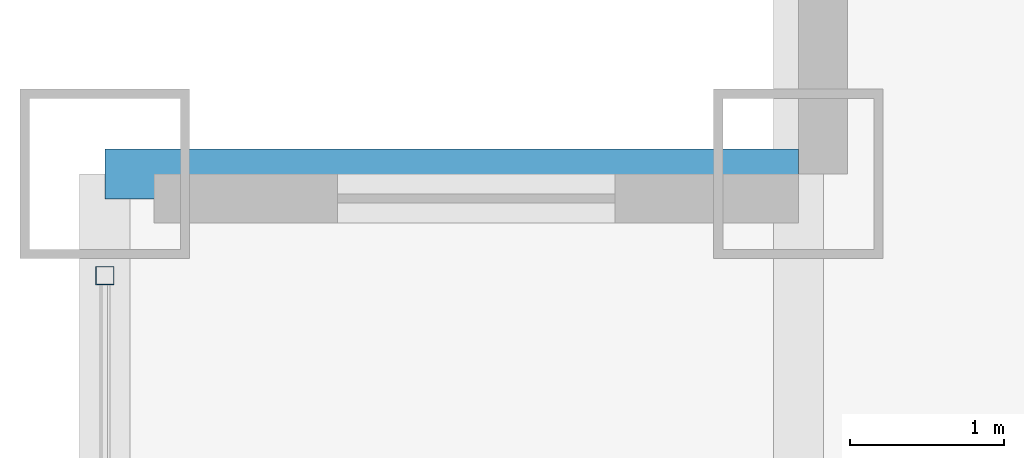
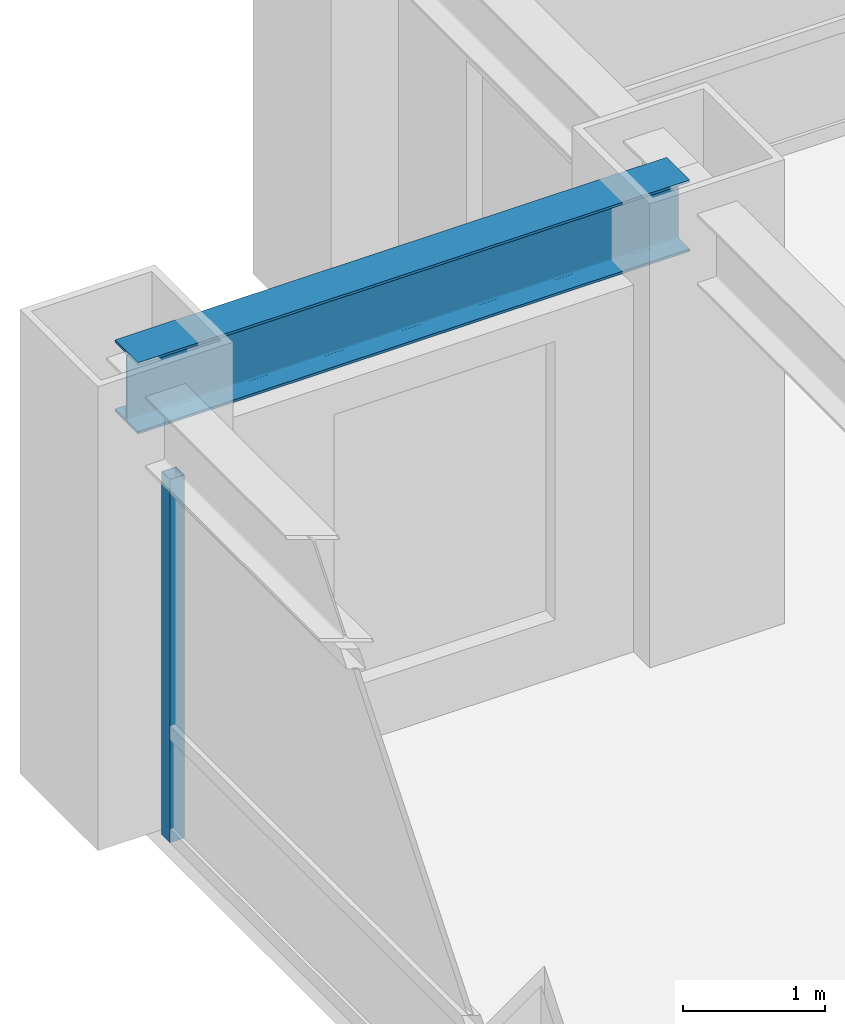
# One storey, part 12 of 28: 1 beam, 1 member, 1 element without a shape of its own.
"""IFC4 building model written with IfcOpenShell, lengths in metres."""

import ifcopenshell
import ifcopenshell.guid

model = None  # the IFC model being written
_history = None  # IfcOwnerHistory: only IFC2X3 demands one
_inside = {}  # id of a spatial element -> (the spatial element, [elements in it])
_under = {}  # id of a project, library or spatial element -> (it, [spatial elements below it])
_declared = {}  # id of a project -> (the project, [libraries it declares])
_typed = {}  # id of a type object -> (the type object, [elements of that type])
_made_of = {}  # id of a material, layer set ... -> (it, [elements and type objects made of it])


def new_model(schema):
    """Start an empty IFC model of exactly this schema.

    Asked for "IFC4X3", IfcOpenShell would pick the latest addendum, in which some entities
    have other attributes; the version numbers below select the first issue.
    IFC2X3 requires an IfcOwnerHistory on every rooted entity: one is made here for all.
    """
    global model, _history
    if schema == "IFC4X3":
        model = ifcopenshell.file(schema_version=(4, 3, 0, 0))
    else:
        model = ifcopenshell.file(schema=schema)
    _inside.clear()
    _under.clear()
    _declared.clear()
    _typed.clear()
    _made_of.clear()
    _history = None
    if model.schema == "IFC2X3":
        org = make("IfcOrganization", Name="unknown")
        user = make(
            "IfcPersonAndOrganization",
            ThePerson=make("IfcPerson", FamilyName="unknown"),
            TheOrganization=org,
        )
        app = make(
            "IfcApplication",
            ApplicationDeveloper=org,
            Version="unknown",
            ApplicationFullName="unknown",
            ApplicationIdentifier="unknown",
        )
        _history = make(
            "IfcOwnerHistory",
            OwningUser=user,
            OwningApplication=app,
            ChangeAction="ADDED",
            CreationDate=0,
        )
    return model


def make(cls, **values):
    """One entity of the class cls with the attributes given. An attribute that is None is left unset."""
    return model.create_entity(
        cls, **{name: value for name, value in values.items() if value is not None}
    )


def rooted(cls, **values):
    """An entity with a GlobalId (a new one), such as an element, a storey or a relation."""
    return make(cls, GlobalId=ifcopenshell.guid.new(), OwnerHistory=_history, **values)


def si_unit(unit_type, name, prefix=None):
    """IfcSIUnit, for example si_unit("LENGTHUNIT", "METRE", prefix="MILLI")."""
    return make("IfcSIUnit", UnitType=unit_type, Prefix=prefix, Name=name)


def assignment(units):
    """IfcUnitAssignment: the units of a project."""
    return None if units is None else make("IfcUnitAssignment", Units=units)


def point(xyz):
    """IfcCartesianPoint."""
    return None if xyz is None else make("IfcCartesianPoint", Coordinates=xyz)


def direction(xyz):
    """IfcDirection."""
    return None if xyz is None else make("IfcDirection", DirectionRatios=xyz)


def frame(location, z_axis=None, x_axis=None):
    """IfcAxis2Placement3D, a coordinate frame: its origin and axes. An axis left out is left unset."""
    return make(
        "IfcAxis2Placement3D",
        Location=point(location),
        Axis=direction(z_axis),
        RefDirection=direction(x_axis),
    )


def frame_2d(location, x_axis=None):
    """IfcAxis2Placement2D, a coordinate frame in the plane: its origin and x axis."""
    return make(
        "IfcAxis2Placement2D", Location=point(location), RefDirection=direction(x_axis)
    )


def origin():
    """The frame at (0, 0, 0) with its axes left unset."""
    return frame((0.0, 0.0, 0.0))


def origin_2d():
    """The frame at (0, 0) in the plane with its x axis left unset."""
    return frame_2d((0.0, 0.0))


def place(relative_to, where):
    """IfcLocalPlacement: puts the frame where relative to a parent placement (None: the world)."""
    return make(
        "IfcLocalPlacement", PlacementRelTo=relative_to, RelativePlacement=where
    )


def context(
    kind, dimensions, precision=None, world=None, true_north=None, identifier=None
):
    """IfcGeometricRepresentationContext, for example the 3D "Model" context."""
    return make(
        "IfcGeometricRepresentationContext",
        ContextIdentifier=identifier,
        ContextType=kind,
        CoordinateSpaceDimension=dimensions,
        Precision=precision,
        WorldCoordinateSystem=world,
        TrueNorth=true_north,
    )


def subcontext(parent, identifier, kind, view, scale=None):
    """IfcGeometricRepresentationSubContext, for example "Body" below "Model"."""
    return make(
        "IfcGeometricRepresentationSubContext",
        ContextIdentifier=identifier,
        ContextType=kind,
        ParentContext=parent,
        TargetScale=scale,
        TargetView=view,
    )


def project(units=None, contexts=None):
    """IfcProject with its units and contexts."""
    return rooted(
        "IfcProject",
        Name="project",
        RepresentationContexts=contexts,
        UnitsInContext=assignment(units),
    )


def spatial(cls, under=None, at=None, **own):
    """A site, building, storey or space (cls), placed at a placement, below another one or the project."""
    s = rooted(cls, ObjectPlacement=at, **own)
    if under is not None:
        _under.setdefault(under.id(), (under, []))[1].append(s)
    return s


def profile(cls, at=None, kind="AREA", **sizes):
    """A parametric profile (cls). Its sizes go by their IFC names, for example OverallWidth=200.0."""
    return make(cls, ProfileType=kind, Position=at, **sizes)


def hollow_rectangle(**sizes):
    """IfcRectangleHollowProfileDef."""
    return profile("IfcRectangleHollowProfileDef", **sizes)


def i_section(**sizes):
    """IfcIShapeProfileDef."""
    return profile("IfcIShapeProfileDef", **sizes)


def extrude(swept, where, along, depth):
    """IfcExtrudedAreaSolid: the profile swept, set in the frame where, extruded along a direction by depth."""
    return make(
        "IfcExtrudedAreaSolid",
        SweptArea=swept,
        Position=where,
        ExtrudedDirection=direction(along),
        Depth=depth,
    )


def shape(context_of_items, identifier, shape_type, items):
    """IfcShapeRepresentation: the items that make up one representation, for example the "Body"."""
    return make(
        "IfcShapeRepresentation",
        ContextOfItems=context_of_items,
        RepresentationIdentifier=identifier,
        RepresentationType=shape_type,
        Items=items,
    )


def source(mapping_origin, context_of_items, identifier, shape_type, items):
    """IfcRepresentationMap: a shape defined once, which mapped items show again and again."""
    return make(
        "IfcRepresentationMap",
        MappingOrigin=mapping_origin,
        MappedRepresentation=shape(context_of_items, identifier, shape_type, items),
    )


def transform(
    local_origin,
    x_axis=None,
    y_axis=None,
    z_axis=None,
    scale=None,
    scale2=None,
    scale3=None,
    uniform=True,
):
    """IfcCartesianTransformationOperator3D, or its non-uniform kind. x_axis, y_axis, z_axis: its Axis1, 2, 3."""
    if uniform:
        return make(
            "IfcCartesianTransformationOperator3D",
            Axis1=direction(x_axis),
            Axis2=direction(y_axis),
            LocalOrigin=point(local_origin),
            Scale=scale,
            Axis3=direction(z_axis),
        )
    return make(
        "IfcCartesianTransformationOperator3DnonUniform",
        Axis1=direction(x_axis),
        Axis2=direction(y_axis),
        LocalOrigin=point(local_origin),
        Scale=scale,
        Axis3=direction(z_axis),
        Scale2=scale2,
        Scale3=scale3,
    )


def mapped(mapping_source, mapping_target):
    """IfcMappedItem: shows the shape of a source again, moved by a transform."""
    return make(
        "IfcMappedItem", MappingSource=mapping_source, MappingTarget=mapping_target
    )


def material(Name=None, Category=None):
    """IfcMaterial."""
    return make("IfcMaterial", Name=Name, Category=Category)


def material_profile(
    of_material, cross_section, Name=None, Category=None, Priority=None
):
    """IfcMaterialProfile: a cross section and its material."""
    return make(
        "IfcMaterialProfile",
        Name=Name,
        Material=of_material,
        Profile=cross_section,
        Priority=Priority,
        Category=Category,
    )


def profile_set(profiles, Name=None, composite=None):
    """IfcMaterialProfileSet."""
    return make(
        "IfcMaterialProfileSet",
        Name=Name,
        MaterialProfiles=profiles,
        CompositeProfile=composite,
    )


def made_of(thing, what):
    """Note that an element or type object is made of a material, layer set ...; save() writes the relation."""
    if what is not None:
        _made_of.setdefault(what.id(), (what, []))[1].append(thing)
    return thing


def type_object(cls, material=None, **own):
    """A type object (cls), such as IfcWallType, which elements share."""
    return made_of(rooted(cls, **own), material)


def element(
    cls,
    number,
    at=None,
    inside=None,
    cuts=None,
    type_object=None,
    material=None,
    context=None,
    identifier="Body",
    shape_type=None,
    held_by="IfcProductDefinitionShape",
    body=None,
    shapes=None,
    **own,
):
    """One element of the class cls, such as IfcWall. Its Tag is "e" and its number.

    at: its placement. inside: the storey or other place that contains it. cuts: it is an
    opening in that element (IfcRelVoidsElement). A single representation is given by context,
    identifier, shape_type and body (its items); several are given by shapes. held_by: the class
    of the entity that holds the representations. save() writes the other relations.
    """
    e = rooted(cls, Tag="e%d" % number, ObjectPlacement=at, **own)
    if body is not None:
        shapes = [shape(context, identifier, shape_type, body)]
    if shapes is not None:
        e.Representation = make(held_by, Representations=shapes)
    if inside is not None:
        _inside.setdefault(inside.id(), (inside, []))[1].append(e)
    if cuts is not None:
        rooted(
            "IfcRelVoidsElement", RelatingBuildingElement=cuts, RelatedOpeningElement=e
        )
    if type_object is not None:
        _typed.setdefault(type_object.id(), (type_object, []))[1].append(e)
    return made_of(e, material)


def aggregate(whole, parts):
    """IfcRelAggregates: a whole, such as a stair, and the parts it consists of."""
    return rooted("IfcRelAggregates", RelatingObject=whole, RelatedObjects=parts)


def save(model, path):
    """Write the relations noted so far, then the file.

    IfcRelAggregates (storeys below a building ...), IfcRelContainedInSpatialStructure (elements
    in a storey), IfcRelDefinesByType, IfcRelAssociatesMaterial and IfcRelDeclares: one each for
    every whole, place, type object, material and project.
    """
    for whole, parts in _under.values():
        aggregate(whole, parts)
    for where, things in _inside.values():
        rooted(
            "IfcRelContainedInSpatialStructure",
            RelatedElements=things,
            RelatingStructure=where,
        )
    for kind, things in _typed.values():
        rooted("IfcRelDefinesByType", RelatedObjects=things, RelatingType=kind)
    for what, things in _made_of.values():
        rooted("IfcRelAssociatesMaterial", RelatedObjects=things, RelatingMaterial=what)
    for by, libraries in _declared.values():
        rooted("IfcRelDeclares", RelatingContext=by, RelatedDefinitions=libraries)
    model.write(path)


model = new_model("IFC4")

# Units and contexts
model_context = context("Model", 3, precision=1e-05, world=origin(), true_north=direction((0.0, 1.0)))
body_context = subcontext(model_context, "Body", "Model", "MODEL_VIEW")
ifc_project = project(units=[si_unit("LENGTHUNIT", "METRE"), si_unit("AREAUNIT", "SQUARE_METRE"), si_unit("VOLUMEUNIT", "CUBIC_METRE"), si_unit("PLANEANGLEUNIT", "RADIAN"), si_unit("MASSUNIT", "GRAM", prefix="KILO")], contexts=[model_context])

# Site, building, storey
site_placement = place(None, origin())
site = spatial("IfcSite", under=ifc_project, at=site_placement, CompositionType="ELEMENT")
building_placement = place(site_placement, origin())
building = spatial("IfcBuilding", under=site, at=building_placement, Name="Khorayat Bourse Tower", CompositionType="ELEMENT")
storey_placement = place(building_placement, frame((0.0, 0.0, 183.10009765625)))
storey = spatial("IfcBuildingStorey", under=building, at=storey_placement, Name="L42", CompositionType="ELEMENT", Elevation=183.10009765625)

# Beam
ifc_material_1 = material(Name="Steel ASTM A992 Grade 50", Category="steel")
ifc_material_profile_1 = material_profile(ifc_material_1, i_section(OverallWidth=0.324951171875, OverallDepth=0.615966796875, WebThickness=0.013916015625, FlangeThickness=0.021484375, FilletRadius=0.01611328125, at=origin_2d()), Name="W610X174")
ifc_profile_set_1 = profile_set([ifc_material_profile_1], Name="Steel ASTM A992 Grade 50")
beam_type = type_object("IfcBeamType", Name="BM-SPAN-610", PredefinedType="SPANDREL", material=ifc_profile_set_1)
shared_shape_1 = source(origin(), body_context, "Body", "SweptSolid", [
    extrude(i_section(OverallWidth=0.324951171875, OverallDepth=0.615966796875, WebThickness=0.013916015625, FlangeThickness=0.021484375, FilletRadius=0.01611328125, at=origin_2d()), origin(), (0.0, 0.0, 1.0), 4.5),
])
beam_placement = place(storey_placement, frame((-30.0, 25.5, 3.471923828125), z_axis=(1.0, 0.0, 0.0), x_axis=(0.0, 1.0, 0.0)))
element("IfcBeam", 1, at=beam_placement, inside=storey, type_object=beam_type, Name="L42 BM-SPAN-610 BM-L42-SPN-053", PredefinedType="SPANDREL", context=body_context, shape_type="MappedRepresentation", body=[
    mapped(shared_shape_1, transform((0.0, 0.0, 0.0), scale=1.0)),
])

# Curtain wall, member
ifc_material_2 = material(Name="Aluminium EN AW-6063 T6", Category="aluminium")
curtain_wall_type = type_object("IfcCurtainWallType", Name="CW-SYS-03", PredefinedType="NOTDEFINED", material=ifc_material_2)
curtain_wall_placement = place(storey_placement, origin())
curtain_wall = element("IfcCurtainWall", 2, at=curtain_wall_placement, inside=storey, type_object=curtain_wall_type, Name="L42 Curtain Wall CW-L42-W1", PredefinedType="NOTDEFINED")
ifc_material_profile_2 = material_profile(ifc_material_2, hollow_rectangle(XDim=0.1201171875, YDim=0.1201171875, WallThickness=0.0048828125, at=origin_2d()), Name="ALU 120x120x5")
ifc_profile_set_2 = profile_set([ifc_material_profile_2], Name="Aluminium EN AW-6063 T6")
member_type = type_object("IfcMemberType", Name="CWM-VERT-120", PredefinedType="MULLION", material=ifc_profile_set_2)
shared_shape_2 = source(origin(), body_context, "Body", "SweptSolid", [
    extrude(hollow_rectangle(XDim=0.1201171875, YDim=0.1201171875, WallThickness=0.0048828125, at=origin_2d()), origin(), (0.0, 0.0, 1.0), 3.1298828125),
])
member_placement = place(storey_placement, frame((-30.0, 24.840087890625, 0.0), z_axis=(0.0, 0.0, 1.0), x_axis=(-1.0, 0.0, 0.0)))
member = element("IfcMember", 3, at=member_placement, type_object=member_type, Name="CW-L42-W1 Vertical Mullion 3", PredefinedType="MULLION", context=body_context, shape_type="MappedRepresentation", body=[
    mapped(shared_shape_2, transform((0.0, 0.0, 0.0), scale=1.0)),
])
aggregate(curtain_wall, [member])

save(model, "model.ifc")
